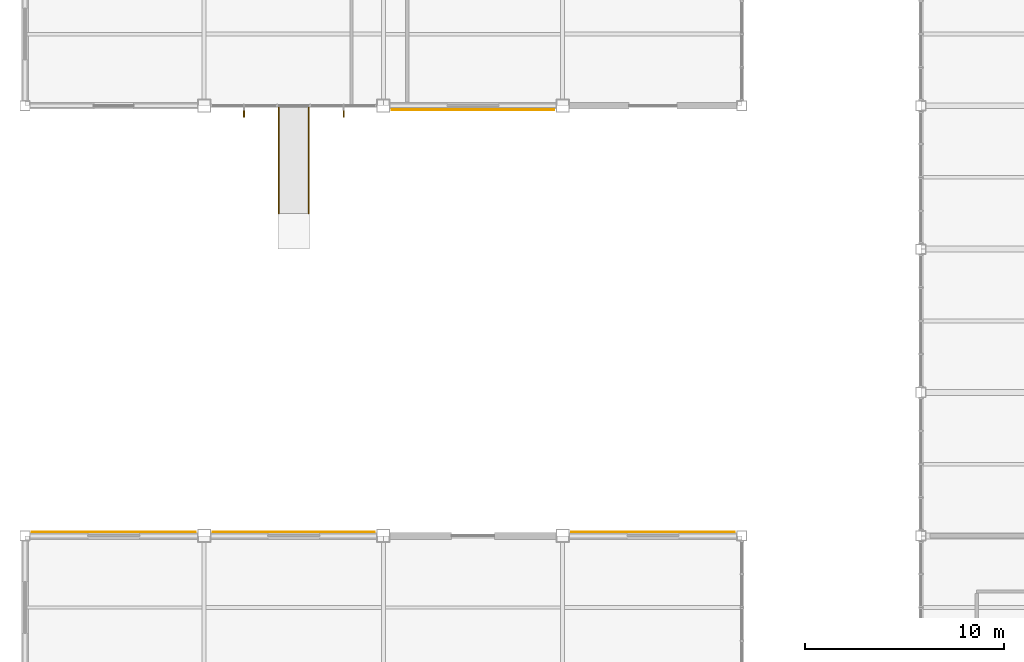
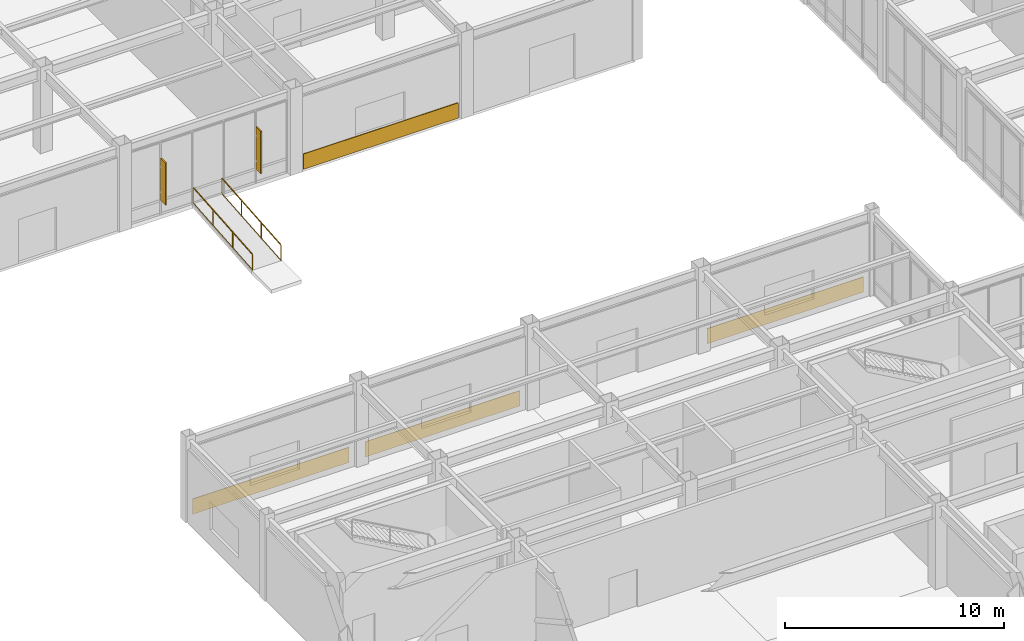
# One storey, part 105 of 112: 4 coverings, 2 railings, 2 shading devices.
"""IFC4 building model written with IfcOpenShell, lengths in metres."""

from ifc_helpers import new_model, si_unit, direction, frame, origin, origin_2d, place, context, subcontext, project, spatial, rectangle, extrude, material, layer, layer_set, type_object, element, save


model = new_model("IFC4")

# Units and contexts
model_context = context("Model", 3, precision=1e-05, world=origin(), true_north=direction((0.0, 1.0)))
body_context = subcontext(model_context, "Body", "Model", "MODEL_VIEW")
ifc_project = project(units=[si_unit("LENGTHUNIT", "METRE"), si_unit("AREAUNIT", "SQUARE_METRE"), si_unit("VOLUMEUNIT", "CUBIC_METRE"), si_unit("PLANEANGLEUNIT", "RADIAN"), si_unit("MASSUNIT", "GRAM", prefix="KILO")], contexts=[model_context])

# Site, building, storey
site_placement = place(None, origin())
site = spatial("IfcSite", under=ifc_project, at=site_placement, CompositionType="ELEMENT")
building_placement = place(site_placement, origin())
building = spatial("IfcBuilding", under=site, at=building_placement, Name="Kazanami Central Library", CompositionType="ELEMENT")
storey_placement = place(building_placement, origin())
storey = spatial("IfcBuildingStorey", under=building, at=storey_placement, Name="L01", CompositionType="ELEMENT", Elevation=0.0)

# Coverings
ifc_material_1 = material(Name="Honed Inada Granite", Category="masonry")
ifc_layer_1 = layer(ifc_material_1, 0.030029296875, Name="Honed Inada Granite")
ifc_layer_set_1 = layer_set([ifc_layer_1], Name="Honed Inada Granite")
covering_type_1 = type_object("IfcCoveringType", Name="COV-CLD-30", PredefinedType="CLADDING", material=ifc_layer_set_1)
covering_1_placement = place(storey_placement, frame((4.46240234375, 36.18994140625, 0.02490234375), z_axis=(0.0, 0.0, 1.0), x_axis=(-1.0, 0.0, 0.0)))
element("IfcCovering", 1, at=covering_1_placement, inside=storey, type_object=covering_type_1, Name="Honed Inada Granite Plinth CLD-30 N-F-00", PredefinedType="CLADDING", context=body_context, shape_type="SweptSolid", body=[
    extrude(rectangle(XDim=8.22509765625, YDim=0.030029296875, at=origin_2d()), origin(), (0.0, 0.0, 1.0), 0.85009765625),
])
covering_2_placement = place(storey_placement, frame((13.5, 36.18994140625, 0.02490234375), z_axis=(0.0, 0.0, 1.0), x_axis=(-1.0, 0.0, 0.0)))
element("IfcCovering", 2, at=covering_2_placement, inside=storey, type_object=covering_type_1, Name="Honed Inada Granite Plinth CLD-30 N-F-01", PredefinedType="CLADDING", context=body_context, shape_type="SweptSolid", body=[
    extrude(rectangle(XDim=8.14990234375, YDim=0.030029296875, at=origin_2d()), origin(), (0.0, 0.0, 1.0), 0.85009765625),
])
covering_3_placement = place(storey_placement, frame((31.53759765625, 36.18994140625, 0.02490234375), z_axis=(0.0, 0.0, 1.0), x_axis=(-1.0, 0.0, 0.0)))
element("IfcCovering", 3, at=covering_3_placement, inside=storey, type_object=covering_type_1, Name="Honed Inada Granite Plinth CLD-30 N-F-03", PredefinedType="CLADDING", context=body_context, shape_type="SweptSolid", body=[
    extrude(rectangle(XDim=8.22509765625, YDim=0.030029296875, at=origin_2d()), origin(), (0.0, 0.0, 1.0), 0.85009765625),
])
ifc_layer_2 = layer(ifc_material_1, 0.0400390625, Name="Honed Inada Granite")
ifc_layer_set_2 = layer_set([ifc_layer_2], Name="Honed Inada Granite")
covering_type_2 = type_object("IfcCoveringType", Name="COV-CLD-40", PredefinedType="CLADDING", material=ifc_layer_set_2)
covering_4_placement = place(storey_placement, frame((22.5, 57.405029296875, 0.02490234375), z_axis=(0.0, 0.0, 1.0), x_axis=(1.0, 0.0, 0.0)))
element("IfcCovering", 4, at=covering_4_placement, inside=storey, type_object=covering_type_2, Name="Honed Inada Granite Plinth CLD-40 S-J-02", PredefinedType="CLADDING", context=body_context, shape_type="SweptSolid", body=[
    extrude(rectangle(XDim=8.14990234375, YDim=0.0400390625, at=origin_2d()), origin(), (0.0, 0.0, 1.0), 0.85009765625),
])

# Railings
ifc_material_2 = material(Name="Stainless Steel SUS304", Category="steel")
railing_type = type_object("IfcRailingType", Name="RAL-HR-01", PredefinedType="HANDRAIL", material=ifc_material_2)
for number, where, name in (
    (5, (12.75, 52.199951171875, -0.449951171875), "Accessible Ramp Handrail RMP-GARDEN-NW (L)"),
    (6, (14.25, 52.199951171875, -0.449951171875), "Accessible Ramp Handrail RMP-GARDEN-NW (R)"),
):
    element("IfcRailing", number, at=place(storey_placement, frame(where)), inside=storey, type_object=railing_type, Name=name, PredefinedType="HANDRAIL", context=body_context, shape_type="SweptSolid", body=[
        extrude(rectangle(XDim=0.0439453125, YDim=0.0439453125, at=origin_2d()), frame((0.0, 0.02587890625, 0.880126953125), z_axis=(0.0, 0.996546690331, 0.083034294059), x_axis=(-1.0, 0.0, 0.0)), (0.0, 0.0, 1.0), 5.366943359375),
        extrude(rectangle(XDim=0.02392578125, YDim=0.02392578125, at=origin_2d()), frame((0.0, 0.02587890625, 0.01806640625), z_axis=(0.0, 0.996546690331, 0.083034294059), x_axis=(-1.0, 0.0, 0.0)), (0.0, 0.0, 1.0), 5.366943359375),
        extrude(rectangle(XDim=0.035888671875, YDim=0.035888671875, at=origin_2d()), origin(), (0.0, 0.0, 1.0), 0.85205078125),
        extrude(rectangle(XDim=0.035888671875, YDim=0.035888671875, at=origin_2d()), frame((0.0, 1.800048828125, 0.14990234375)), (0.0, 0.0, 1.0), 0.85205078125),
        extrude(rectangle(XDim=0.035888671875, YDim=0.035888671875, at=origin_2d()), frame((0.0, 3.60009765625, 0.300048828125)), (0.0, 0.0, 1.0), 0.85205078125),
        extrude(rectangle(XDim=0.035888671875, YDim=0.035888671875, at=origin_2d()), frame((0.0, 5.400146484375, 0.449951171875)), (0.0, 0.0, 1.0), 0.85205078125),
    ])

# Shading devices
ifc_material_3 = material(Name="Anodised Bronze-Grey Aluminium A6063-T5", Category="aluminium")
shading_device_type = type_object("IfcShadingDeviceType", Name="SHD-FIN-3", PredefinedType="USERDEFINED", material=ifc_material_3)
for number, where, z_axis, x_axis, name in (
    (7, (10.9951171875, 57.2548828125, 0.8525390625), (0.0, 0.0, 1.0), (1.0, 0.0, 0.0), "Vertical Solar Fin SF-03 L01 S-J-01.1"),
    (8, (16.0048828125, 57.2548828125, 0.8525390625), (0.0, 0.0, 1.0), (1.0, 0.0, 0.0), "Vertical Solar Fin SF-03 L01 S-J-01.2"),
):
    element("IfcShadingDevice", number, at=place(storey_placement, frame(where, z_axis=z_axis, x_axis=x_axis)), inside=storey, type_object=shading_device_type, Name=name, ObjectType="SOLAR FIN", PredefinedType="USERDEFINED", context=body_context, shape_type="SweptSolid", body=[
        extrude(rectangle(XDim=0.06494140625, YDim=0.449951171875, at=origin_2d()), origin(), (0.0, 0.0, 1.0), 2.35009765625),
    ])

save(model, "model.ifc")
